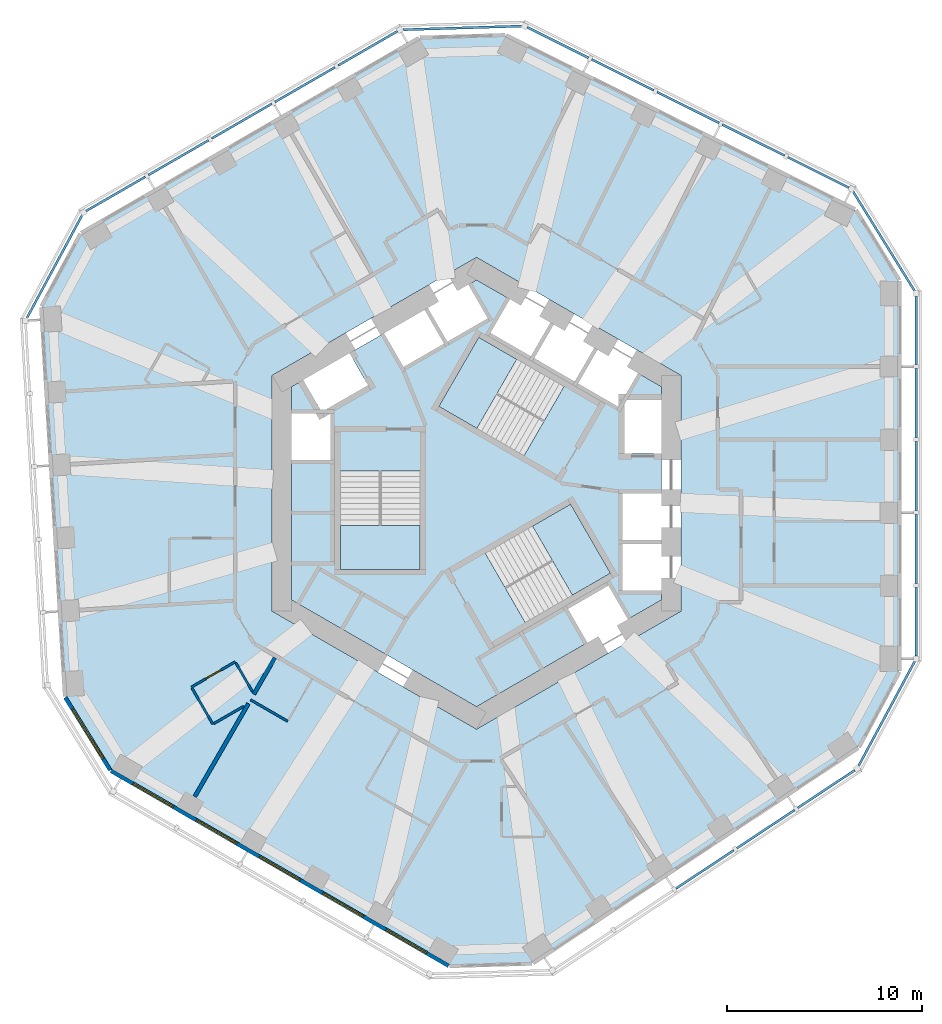
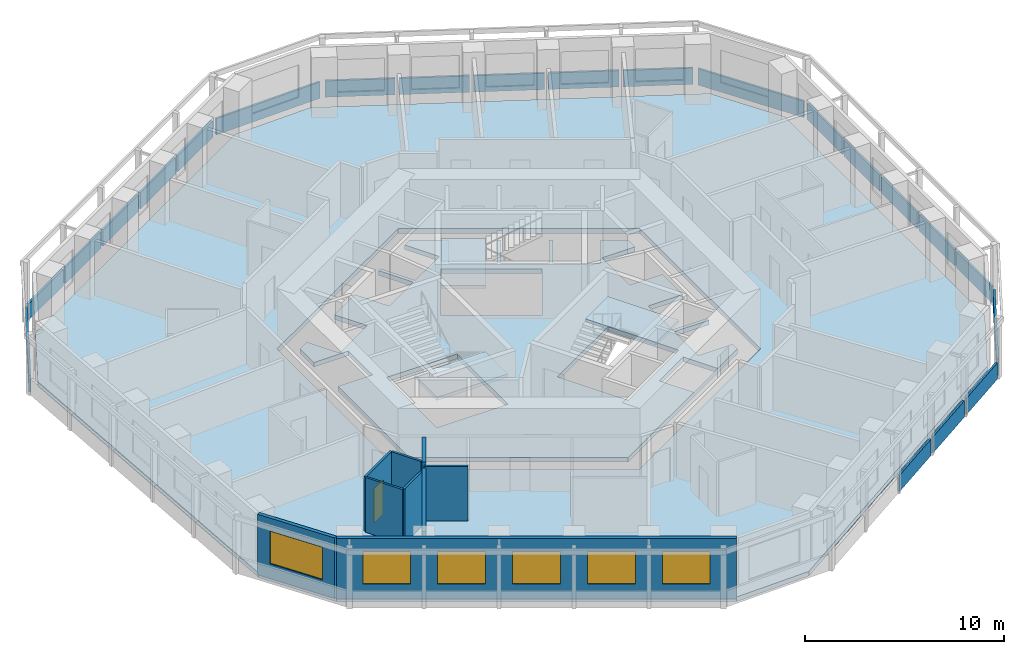
# One storey, part 3 of 11: 22 plates, 9 walls, 6 windows, 5 slabs, 1 door, 7 openings, 11 elements without a shape of their own.
"""IFC4 building model written with IfcOpenShell, lengths in metres."""

from ifc_helpers import new_model, si_unit, direction, frame, frame_2d, origin, origin_2d, place, context, subcontext, project, spatial, polyline, rectangle, outline, extrude, material, layer, layer_set, type_object, element, fill, aggregate, save


model = new_model("IFC4")

# Units and contexts
model_context = context("Model", 3, precision=1e-05, world=origin(), true_north=direction((0.0, 1.0)))
body_context = subcontext(model_context, "Body", "Model", "MODEL_VIEW")
ifc_project = project(units=[si_unit("LENGTHUNIT", "METRE"), si_unit("AREAUNIT", "SQUARE_METRE"), si_unit("VOLUMEUNIT", "CUBIC_METRE"), si_unit("PLANEANGLEUNIT", "RADIAN"), si_unit("MASSUNIT", "GRAM", prefix="KILO")], contexts=[model_context])

# Site, building, storey
site_placement = place(None, origin())
site = spatial("IfcSite", under=ifc_project, at=site_placement, CompositionType="ELEMENT")
building_placement = place(site_placement, origin())
building = spatial("IfcBuilding", under=site, at=building_placement, Name="Vanh Sen Convention Tower", CompositionType="ELEMENT")
storey_placement = place(building_placement, frame((0.0, 0.0, 135.5)))
storey = spatial("IfcBuildingStorey", under=building, at=storey_placement, Name="L33", CompositionType="ELEMENT", Elevation=135.5)

# Slabs
ifc_material_1 = material(Name="Concrete C40/50", Category="concrete")
ifc_layer_1 = layer(ifc_material_1, 0.280029296875)
ifc_layer_set_1 = layer_set([ifc_layer_1], Name="Concrete C40/50")
slab_type_1 = type_object("IfcSlabType", Name="Core slab 280", PredefinedType="FLOOR", material=ifc_layer_set_1)
slab_1_placement = place(storey_placement, frame((0.0, 0.0, -0.280029296875)))
element("IfcSlab", 1, at=slab_1_placement, inside=storey, type_object=slab_type_1, Name="Core slab L33", PredefinedType="FLOOR", context=body_context, shape_type="SweptSolid", body=[
    extrude(outline(polyline([(9.5, 5.48486328125), (9.5, 4.800048828125), (7.60009765625, 4.800048828125), (7.60009765625, 2.050048828125), (9.5, 2.050048828125), (9.5, 0.0), (7.5, 0.0), (7.5, -2.39990234375), (9.5, -2.39990234375), (9.5, -2.60009765625), (7.5, -2.60009765625), (7.5, -5.0), (9.5, -5.0), (9.5, -5.48486328125), (0.0, -10.9697265625), (-9.5, -5.48486328125), (-9.5, 1.699951171875), (-7.5, 1.699951171875), (-7.5, 4.10009765625), (-9.5, 4.10009765625), (-9.5, 5.48486328125), (-8.906982421875, 5.8271484375), (-7.956787109375, 4.181884765625), (-5.575439453125, 5.556884765625), (-6.525390625, 7.2021484375), (-4.75, 8.227294921875), (-3.75, 6.4951171875), (-1.67138671875, 7.6953125), (-2.67138671875, 9.42724609375), (-2.498291015625, 9.527099609375), (-1.498291015625, 7.795166015625), (0.580078125, 8.9951171875), (-0.419921875, 10.727294921875), (0.0, 10.9697265625), (1.718994140625, 9.977294921875), (0.718994140625, 8.2451171875), (2.79736328125, 7.045166015625), (3.79736328125, 8.777099609375), (3.970703125, 8.67724609375), (2.970703125, 6.9453125), (5.049072265625, 5.7451171875), (6.049072265625, 7.477294921875), (6.22216796875, 7.377197265625), (5.22216796875, 5.645263671875), (7.30078125, 4.4453125), (8.30078125, 6.17724609375), (9.5, 5.48486328125)]), holes=[polyline([(-7.0, 3.14990234375), (-7.0, -3.909912109375), (-2.89990234375, -3.909912109375), (-2.89990234375, 3.14990234375), (-2.89990234375, 1.1494140625), (-7.0, 1.1494140625), (-7.0, 3.14990234375)]), polyline([(4.495361328125, 5.487548828125), (6.22802734375, 4.4873046875), (0.11376953125, 8.01708984375), (-1.936279296875, 4.466552734375), (2.4453125, 1.936767578125), (4.495361328125, 5.487548828125)]), polyline([(7.781005859375, -6.477294921875), (6.781005859375, -4.7451171875), (4.70263671875, -5.9453125), (5.70263671875, -7.67724609375), (7.781005859375, -6.477294921875)]), polyline([(0.45458984375, -3.086181640625), (2.504638671875, -6.63671875), (6.88623046875, -4.107177734375), (4.836181640625, -0.556396484375), (-1.278076171875, -4.08642578125), (0.45458984375, -3.086181640625)])]), origin(), (0.0, 0.0, 1.0), 0.280029296875),
])
ifc_layer_2 = layer(ifc_material_1, 0.280029296875)
ifc_layer_set_2 = layer_set([ifc_layer_2], Name="Concrete C40/50")
slab_type_2 = type_object("IfcSlabType", Name="Floor slab 280 REI 120", PredefinedType="FLOOR", material=ifc_layer_set_2)
slab_2_placement = place(storey_placement, frame((0.0, 0.0, -0.280029296875)))
element("IfcSlab", 2, at=slab_2_placement, inside=storey, type_object=slab_type_2, Name="Floor slab L33 tower", PredefinedType="FLOOR", context=body_context, shape_type="SweptSolid", body=[
    extrude(outline(polyline([(21.699951171875, -9.15087890625), (21.699951171875, 10.91943359375), (19.454833984375, 14.5478515625), (1.492919921875, 23.503173828125), (-2.925048828125, 23.368408203125), (-20.306640625, 13.3330078125), (-22.326171875, 9.574462890625), (-21.100830078125, -10.458740234375), (-18.77490234375, -14.21728515625), (-1.393310546875, -24.25244140625), (2.871337890625, -24.122314453125), (19.60791015625, -13.04443359375), (21.699951171875, -9.15087890625)]), holes=[polyline([(0.0, 12.12451171875), (-10.5, 6.062255859375), (-10.5, -6.062255859375), (0.0, -12.12451171875), (10.5, -6.062255859375), (10.5, 6.062255859375), (0.0, 12.12451171875)])]), origin(), (0.0, 0.0, 1.0), 0.280029296875),
])

# Curtain wall, plates
ifc_material_2 = material(Name="Concrete C50/60", Category="concrete")
curtain_wall_type = type_object("IfcCurtainWallType", Name="Outer skin office zone", PredefinedType="NOTDEFINED", material=ifc_material_2)
curtain_wall_1_placement = place(storey_placement, origin())
curtain_wall_1 = element("IfcCurtainWall", 3, at=curtain_wall_1_placement, inside=storey, type_object=curtain_wall_type, Name="OUTER SKIN E L33", PredefinedType="NOTDEFINED")
ifc_layer_3 = layer(ifc_material_2, 0.1201171875)
ifc_layer_set_3 = layer_set([ifc_layer_3], Name="Concrete C50/60")
plate_type = type_object("IfcPlateType", Name="Outer skin precast screen panel 120", PredefinedType="CURTAIN_PANEL", material=ifc_layer_set_3)
plate_1_placement = place(storey_placement, frame((22.60009765625, -6.59912109375, 0.0), z_axis=(0.0, 0.0, 1.0), x_axis=(0.0, 1.0, 0.0)))
plate_1 = element("IfcPlate", 4, at=plate_1_placement, type_object=plate_type, Name="OUTER SKIN screen panel E-1", PredefinedType="CURTAIN_PANEL", context=body_context, shape_type="SweptSolid", body=[
    extrude(rectangle(XDim=3.504150390625, YDim=0.1201171875, at=origin_2d()), origin(), (0.0, 0.0, 1.0), 1.0),
])
plate_2_placement = place(storey_placement, frame((22.60009765625, -2.869873046875, 0.0), z_axis=(0.0, 0.0, 1.0), x_axis=(0.0, 1.0, 0.0)))
plate_2 = element("IfcPlate", 5, at=plate_2_placement, type_object=plate_type, Name="OUTER SKIN screen panel E-2", PredefinedType="CURTAIN_PANEL", context=body_context, shape_type="SweptSolid", body=[
    extrude(rectangle(XDim=3.55419921875, YDim=0.1201171875, at=origin_2d()), origin(), (0.0, 0.0, 1.0), 1.0),
])
plate_3_placement = place(storey_placement, frame((22.60009765625, 0.88427734375, 0.0), z_axis=(0.0, 0.0, 1.0), x_axis=(0.0, 1.0, 0.0)))
plate_3 = element("IfcPlate", 6, at=plate_3_placement, type_object=plate_type, Name="OUTER SKIN screen panel E-3", PredefinedType="CURTAIN_PANEL", context=body_context, shape_type="SweptSolid", body=[
    extrude(rectangle(XDim=3.55419921875, YDim=0.1201171875, at=origin_2d()), origin(), (0.0, 0.0, 1.0), 1.0),
])
plate_4_placement = place(storey_placement, frame((22.60009765625, 4.63818359375, 0.0), z_axis=(0.0, 0.0, 1.0), x_axis=(0.0, 1.0, 0.0)))
plate_4 = element("IfcPlate", 7, at=plate_4_placement, type_object=plate_type, Name="OUTER SKIN screen panel E-4", PredefinedType="CURTAIN_PANEL", context=body_context, shape_type="SweptSolid", body=[
    extrude(rectangle(XDim=3.55419921875, YDim=0.1201171875, at=origin_2d()), origin(), (0.0, 0.0, 1.0), 1.0),
])
plate_5_placement = place(storey_placement, frame((22.60009765625, 8.367431640625, 0.0), z_axis=(0.0, 0.0, 1.0), x_axis=(0.0, 1.0, 0.0)))
plate_5 = element("IfcPlate", 8, at=plate_5_placement, type_object=plate_type, Name="OUTER SKIN screen panel E-5", PredefinedType="CURTAIN_PANEL", context=body_context, shape_type="SweptSolid", body=[
    extrude(rectangle(XDim=3.504150390625, YDim=0.1201171875, at=origin_2d()), origin(), (0.0, 0.0, 1.0), 1.0),
])
aggregate(curtain_wall_1, [plate_1, plate_2, plate_3, plate_4, plate_5])

# Curtain wall, plate
curtain_wall_2_placement = place(storey_placement, origin())
curtain_wall_2 = element("IfcCurtainWall", 9, at=curtain_wall_2_placement, inside=storey, type_object=curtain_wall_type, Name="OUTER SKIN CH1 L33", PredefinedType="NOTDEFINED")
plate_6_placement = place(storey_placement, frame((20.937255859375, 12.956298828125, 0.0), z_axis=(0.0, 0.0, 1.0), x_axis=(-0.5262035346, 0.850358653848, 0.0)))
plate_6 = element("IfcPlate", 10, at=plate_6_placement, type_object=plate_type, Name="OUTER SKIN screen panel CH1-1", PredefinedType="CURTAIN_PANEL", context=body_context, shape_type="SweptSolid", body=[
    extrude(rectangle(XDim=6.01953125, YDim=0.1201171875, at=origin_2d()), origin(), (0.0, 0.0, 1.0), 1.0),
])
aggregate(curtain_wall_2, [plate_6])

# Curtain wall, plates
curtain_wall_3_placement = place(storey_placement, origin())
curtain_wall_3 = element("IfcCurtainWall", 11, at=curtain_wall_3_placement, inside=storey, type_object=curtain_wall_type, Name="OUTER SKIN NE L33", PredefinedType="NOTDEFINED")
plate_7_placement = place(storey_placement, frame((17.572509765625, 16.491943359375, 0.0), z_axis=(0.0, 0.0, 1.0), x_axis=(-0.894943706551, 0.446179069551, 0.0)))
plate_7 = element("IfcPlate", 12, at=plate_7_placement, type_object=plate_type, Name="OUTER SKIN screen panel NE-1", PredefinedType="CURTAIN_PANEL", context=body_context, shape_type="SweptSolid", body=[
    extrude(rectangle(XDim=3.504150390625, YDim=0.1201171875, at=origin_2d()), origin(), (0.0, 0.0, 1.0), 1.0),
])
plate_8_placement = place(storey_placement, frame((14.235107421875, 18.156005859375, 0.0), z_axis=(0.0, 0.0, 1.0), x_axis=(-0.894932804072, 0.446200937017, 0.0)))
plate_8 = element("IfcPlate", 13, at=plate_8_placement, type_object=plate_type, Name="OUTER SKIN screen panel NE-2", PredefinedType="CURTAIN_PANEL", context=body_context, shape_type="SweptSolid", body=[
    extrude(rectangle(XDim=3.55419921875, YDim=0.1201171875, at=origin_2d()), origin(), (0.0, 0.0, 1.0), 1.0),
])
plate_9_placement = place(storey_placement, frame((10.87548828125, 19.8310546875, 0.0), z_axis=(0.0, 0.0, 1.0), x_axis=(-0.894932804072, 0.446200937017, 0.0)))
plate_9 = element("IfcPlate", 14, at=plate_9_placement, type_object=plate_type, Name="OUTER SKIN screen panel NE-3", PredefinedType="CURTAIN_PANEL", context=body_context, shape_type="SweptSolid", body=[
    extrude(rectangle(XDim=3.55419921875, YDim=0.1201171875, at=origin_2d()), origin(), (0.0, 0.0, 1.0), 1.0),
])
plate_10_placement = place(storey_placement, frame((7.515625, 21.506103515625, 0.0), z_axis=(0.0, 0.0, 1.0), x_axis=(-0.894932804072, 0.446200937017, 0.0)))
plate_10 = element("IfcPlate", 15, at=plate_10_placement, type_object=plate_type, Name="OUTER SKIN screen panel NE-4", PredefinedType="CURTAIN_PANEL", context=body_context, shape_type="SweptSolid", body=[
    extrude(rectangle(XDim=3.55419921875, YDim=0.1201171875, at=origin_2d()), origin(), (0.0, 0.0, 1.0), 1.0),
])
plate_11_placement = place(storey_placement, frame((4.178466796875, 23.169921875, 0.0), z_axis=(0.0, 0.0, 1.0), x_axis=(-0.894943706551, 0.446179069551, 0.0)))
plate_11 = element("IfcPlate", 16, at=plate_11_placement, type_object=plate_type, Name="OUTER SKIN screen panel NE-5", PredefinedType="CURTAIN_PANEL", context=body_context, shape_type="SweptSolid", body=[
    extrude(rectangle(XDim=3.504150390625, YDim=0.1201171875, at=origin_2d()), origin(), (0.0, 0.0, 1.0), 1.0),
])
aggregate(curtain_wall_3, [plate_7, plate_8, plate_9, plate_10, plate_11])

# Curtain wall, plate
curtain_wall_4_placement = place(storey_placement, origin())
curtain_wall_4 = element("IfcCurtainWall", 17, at=curtain_wall_4_placement, inside=storey, type_object=curtain_wall_type, Name="OUTER SKIN CH2 L33", PredefinedType="NOTDEFINED")
plate_12_placement = place(storey_placement, frame((-0.73095703125, 23.920654296875, 0.0), z_axis=(0.0, 0.0, 1.0), x_axis=(-0.999533590837, -0.03053851321, 0.0)))
plate_12 = element("IfcPlate", 18, at=plate_12_placement, type_object=plate_type, Name="OUTER SKIN screen panel CH2-1", PredefinedType="CURTAIN_PANEL", context=body_context, shape_type="SweptSolid", body=[
    extrude(rectangle(XDim=6.1171875, YDim=0.1201171875, at=origin_2d()), origin(), (0.0, 0.0, 1.0), 1.0),
])
aggregate(curtain_wall_4, [plate_12])

# Curtain wall, plates
curtain_wall_5_placement = place(storey_placement, origin())
curtain_wall_5 = element("IfcCurtainWall", 19, at=curtain_wall_5_placement, inside=storey, type_object=curtain_wall_type, Name="OUTER SKIN NW L33", PredefinedType="NOTDEFINED")
plate_13_placement = place(storey_placement, frame((-5.585205078125, 22.87158203125, 0.0), z_axis=(0.0, 0.0, 1.0), x_axis=(-0.866035002936, -0.499983373414, 0.0)))
plate_13 = element("IfcPlate", 20, at=plate_13_placement, type_object=plate_type, Name="OUTER SKIN screen panel NW-1", PredefinedType="CURTAIN_PANEL", context=body_context, shape_type="SweptSolid", body=[
    extrude(rectangle(XDim=3.504150390625, YDim=0.1201171875, at=origin_2d()), origin(), (0.0, 0.0, 1.0), 1.0),
])
plate_14_placement = place(storey_placement, frame((-8.814697265625, 21.007080078125, 0.0), z_axis=(0.0, 0.0, 1.0), x_axis=(-0.866016677006, -0.500015114919, 0.0)))
plate_14 = element("IfcPlate", 21, at=plate_14_placement, type_object=plate_type, Name="OUTER SKIN screen panel NW-2", PredefinedType="CURTAIN_PANEL", context=body_context, shape_type="SweptSolid", body=[
    extrude(rectangle(XDim=3.55419921875, YDim=0.1201171875, at=origin_2d()), origin(), (0.0, 0.0, 1.0), 1.0),
])
plate_15_placement = place(storey_placement, frame((-12.06591796875, 19.1298828125, 0.0), z_axis=(0.0, 0.0, 1.0), x_axis=(-0.866035002936, -0.499983373414, 0.0)))
plate_15 = element("IfcPlate", 22, at=plate_15_placement, type_object=plate_type, Name="OUTER SKIN screen panel NW-3", PredefinedType="CURTAIN_PANEL", context=body_context, shape_type="SweptSolid", body=[
    extrude(rectangle(XDim=3.55419921875, YDim=0.1201171875, at=origin_2d()), origin(), (0.0, 0.0, 1.0), 1.0),
])
plate_16_placement = place(storey_placement, frame((-15.31689453125, 17.2529296875, 0.0), z_axis=(0.0, 0.0, 1.0), x_axis=(-0.866016677006, -0.500015114919, 0.0)))
plate_16 = element("IfcPlate", 23, at=plate_16_placement, type_object=plate_type, Name="OUTER SKIN screen panel NW-4", PredefinedType="CURTAIN_PANEL", context=body_context, shape_type="SweptSolid", body=[
    extrude(rectangle(XDim=3.55419921875, YDim=0.1201171875, at=origin_2d()), origin(), (0.0, 0.0, 1.0), 1.0),
])
plate_17_placement = place(storey_placement, frame((-18.54638671875, 15.388427734375, 0.0), z_axis=(0.0, 0.0, 1.0), x_axis=(-0.866035002936, -0.499983373414, 0.0)))
plate_17 = element("IfcPlate", 24, at=plate_17_placement, type_object=plate_type, Name="OUTER SKIN screen panel NW-5", PredefinedType="CURTAIN_PANEL", context=body_context, shape_type="SweptSolid", body=[
    extrude(rectangle(XDim=3.504150390625, YDim=0.1201171875, at=origin_2d()), origin(), (0.0, 0.0, 1.0), 1.0),
])
aggregate(curtain_wall_5, [plate_13, plate_14, plate_15, plate_16, plate_17])

# Curtain wall, plate
curtain_wall_6_placement = place(storey_placement, origin())
curtain_wall_6 = element("IfcCurtainWall", 25, at=curtain_wall_6_placement, inside=storey, type_object=curtain_wall_type, Name="OUTER SKIN CH3 L33", PredefinedType="NOTDEFINED")
plate_18_placement = place(storey_placement, frame((-21.689208984375, 11.654052734375, 0.0), z_axis=(0.0, 0.0, 1.0), x_axis=(-0.47331812974, -0.880891564303, 0.0)))
plate_18 = element("IfcPlate", 26, at=plate_18_placement, type_object=plate_type, Name="OUTER SKIN screen panel CH3-1", PredefinedType="CURTAIN_PANEL", context=body_context, shape_type="SweptSolid", body=[
    extrude(rectangle(XDim=6.019287109375, YDim=0.1201171875, at=origin_2d()), origin(), (0.0, 0.0, 1.0), 1.0),
])
aggregate(curtain_wall_6, [plate_18])

# Curtain wall, plates
curtain_wall_7_placement = place(storey_placement, origin())
curtain_wall_7 = element("IfcCurtainWall", 27, at=curtain_wall_7_placement, inside=storey, type_object=curtain_wall_type, Name="OUTER SKIN SE L33", PredefinedType="NOTDEFINED")
plate_19_placement = place(storey_placement, frame((11.736328125, -19.333984375, 0.0), z_axis=(0.0, 0.0, 1.0), x_axis=(0.833877152158, 0.551950083892, 0.0)))
plate_19 = element("IfcPlate", 28, at=plate_19_placement, type_object=plate_type, Name="OUTER SKIN screen panel SE-3", PredefinedType="CURTAIN_PANEL", context=body_context, shape_type="SweptSolid", body=[
    extrude(rectangle(XDim=3.55419921875, YDim=0.1201171875, at=origin_2d()), origin(), (0.0, 0.0, 1.0), 1.0),
])
plate_20_placement = place(storey_placement, frame((14.866943359375, -17.26171875, 0.0), z_axis=(0.0, 0.0, 1.0), x_axis=(0.833889675294, 0.551931163677, 0.0)))
plate_20 = element("IfcPlate", 29, at=plate_20_placement, type_object=plate_type, Name="OUTER SKIN screen panel SE-4", PredefinedType="CURTAIN_PANEL", context=body_context, shape_type="SweptSolid", body=[
    extrude(rectangle(XDim=3.55419921875, YDim=0.1201171875, at=origin_2d()), origin(), (0.0, 0.0, 1.0), 1.0),
])
plate_21_placement = place(storey_placement, frame((17.9765625, -15.20361328125, 0.0), z_axis=(0.0, 0.0, 1.0), x_axis=(0.833889675294, 0.551931163677, 0.0)))
plate_21 = element("IfcPlate", 30, at=plate_21_placement, type_object=plate_type, Name="OUTER SKIN screen panel SE-5", PredefinedType="CURTAIN_PANEL", context=body_context, shape_type="SweptSolid", body=[
    extrude(rectangle(XDim=3.504150390625, YDim=0.1201171875, at=origin_2d()), origin(), (0.0, 0.0, 1.0), 1.0),
])
aggregate(curtain_wall_7, [plate_19, plate_20, plate_21])

# Curtain wall, plate
curtain_wall_8_placement = place(storey_placement, origin())
curtain_wall_8 = element("IfcCurtainWall", 31, at=curtain_wall_8_placement, inside=storey, type_object=curtain_wall_type, Name="OUTER SKIN CH6 L33", PredefinedType="NOTDEFINED")
plate_22_placement = place(storey_placement, frame((21.081298828125, -11.327392578125, 0.0), z_axis=(0.0, 0.0, 1.0), x_axis=(0.473321204628, 0.880889912105, 0.0)))
plate_22 = element("IfcPlate", 32, at=plate_22_placement, type_object=plate_type, Name="OUTER SKIN screen panel CH6-1", PredefinedType="CURTAIN_PANEL", context=body_context, shape_type="SweptSolid", body=[
    extrude(rectangle(XDim=6.1171875, YDim=0.1201171875, at=origin_2d()), origin(), (0.0, 0.0, 1.0), 1.0),
])
aggregate(curtain_wall_8, [plate_22])

# Stair, slab
ifc_material_3 = material(Name="Concrete C50/60", Category="concrete")
stair_type_1 = type_object("IfcStairType", Name="Exit stair ST1 22 risers at 168.2", PredefinedType="HALF_TURN_STAIR", material=ifc_material_3)
stair_1_placement = place(storey_placement, origin())
stair_1 = element("IfcStair", 33, at=stair_1_placement, inside=storey, type_object=stair_type_1, Name="Exit stair ST1 L33", PredefinedType="HALF_TURN_STAIR")
ifc_layer_4 = layer(ifc_material_1, 0.199951171875)
ifc_layer_set_4 = layer_set([ifc_layer_4], Name="Concrete C40/50")
slab_type_3 = type_object("IfcSlabType", Name="Stair landing 200", PredefinedType="LANDING", material=ifc_layer_set_4)
slab_3_placement = place(storey_placement, frame((0.0, 0.0, 1.64990234375)))
slab_3 = element("IfcSlab", 34, at=slab_3_placement, type_object=slab_type_3, Name="ST1 landing 1", PredefinedType="LANDING", context=body_context, shape_type="SweptSolid", body=[
    extrude(outline(polyline([(2.07177734375, 6.88671875), (0.11376953125, 8.01708984375), (-1.936279296875, 4.466552734375), (0.021728515625, 3.336181640625), (2.07177734375, 6.88671875)])), origin(), (0.0, 0.0, 1.0), 0.2001953125),
])
aggregate(stair_1, [slab_3])

stair_type_2 = type_object("IfcStairType", Name="Exit stair ST2 22 risers at 168.2", PredefinedType="HALF_TURN_STAIR", material=ifc_material_3)
stair_2_placement = place(storey_placement, origin())
stair_2 = element("IfcStair", 35, at=stair_2_placement, inside=storey, type_object=stair_type_2, Name="Exit stair ST2 L33", PredefinedType="HALF_TURN_STAIR")
slab_4_placement = place(storey_placement, frame((0.0, 0.0, 1.64990234375)))
slab_4 = element("IfcSlab", 36, at=slab_4_placement, type_object=slab_type_3, Name="ST2 landing 1", PredefinedType="LANDING", context=body_context, shape_type="SweptSolid", body=[
    extrude(outline(polyline([(-7.0, -1.6494140625), (-7.0, -3.909912109375), (-2.89990234375, -3.909912109375), (-2.89990234375, -1.6494140625), (-7.0, -1.6494140625)])), origin(), (0.0, 0.0, 1.0), 0.2001953125),
])
aggregate(stair_2, [slab_4])

stair_type_3 = type_object("IfcStairType", Name="Exit stair ST3 22 risers at 168.2", PredefinedType="HALF_TURN_STAIR", material=ifc_material_3)
stair_3_placement = place(storey_placement, origin())
stair_3 = element("IfcStair", 37, at=stair_3_placement, inside=storey, type_object=stair_type_3, Name="Exit stair ST3 L33", PredefinedType="HALF_TURN_STAIR")
slab_5_placement = place(storey_placement, frame((0.0, 0.0, 1.64990234375)))
slab_5 = element("IfcSlab", 38, at=slab_5_placement, type_object=slab_type_3, Name="ST3 landing 1", PredefinedType="LANDING", context=body_context, shape_type="SweptSolid", body=[
    extrude(outline(polyline([(4.92822265625, -5.237548828125), (6.88623046875, -4.107177734375), (4.836181640625, -0.556396484375), (2.87841796875, -1.686767578125), (4.92822265625, -5.237548828125)])), origin(), (0.0, 0.0, 1.0), 0.2001953125),
])
aggregate(stair_3, [slab_5])

# Wall, opening, door
ifc_material_4 = material(Name="Moisture-resistant gypsum board on steel studs", Category="steel")
ifc_layer_5 = layer(ifc_material_4, 0.1201171875)
ifc_layer_set_5 = layer_set([ifc_layer_5], Name="Moisture-resistant gypsum board on steel studs")
wall_type_1 = type_object("IfcWallType", Name="Bathroom partition 120", PredefinedType="PARTITIONING", material=ifc_layer_set_5)
wall_1_placement = place(storey_placement, frame((-14.652587890625, -9.960693359375, 0.0), z_axis=(0.0, 0.0, 1.0), x_axis=(0.866021400173, 0.500006934395, 0.0)))
wall_1 = element("IfcWall", 39, at=wall_1_placement, inside=storey, type_object=wall_type_1, Name="Bathroom partition 120", PredefinedType="PARTITIONING", context=body_context, shape_type="SweptSolid", body=[
    extrude(rectangle(XDim=2.60009765625, YDim=0.1201171875, at=frame_2d((1.300048828125, 0.0))), origin(), (0.0, 0.0, 1.0), 3.35009765625),
])
opening_1_placement = place(wall_1_placement, frame((0.85009765625, 0.0, 0.0)))
opening_1 = element("IfcOpeningElement", 40, at=opening_1_placement, cuts=wall_1, Name="Opening D32121", PredefinedType="OPENING", context=body_context, shape_type="SweptSolid", body=[
    extrude(rectangle(XDim=0.89990234375, YDim=2.10009765625, at=frame_2d((0.449951171875, 1.050048828125))), frame((0.0, 0.070068359375, 0.0), z_axis=(0.0, -1.0, 0.0), x_axis=(1.0, 0.0, 0.0)), (0.0, 0.0, 1.0), 0.14013671875),
])
ifc_material_5 = material(Name="Laminate door in steel frame", Category="steel")
door_type = type_object("IfcDoorType", Name="Room internal door 900", OperationType="SINGLE_SWING_LEFT", PredefinedType="DOOR", material=ifc_material_5)
door_placement = place(opening_1_placement, origin())
door = element("IfcDoor", 41, at=door_placement, inside=storey, type_object=door_type, Name="Internal room door D32121", OperationType="SINGLE_SWING_LEFT", OverallHeight=2.10009765625, OverallWidth=0.89990234375, PredefinedType="DOOR", context=body_context, shape_type="SweptSolid", body=[
    extrude(rectangle(XDim=0.89990234375, YDim=2.10009765625, at=frame_2d((0.449951171875, 1.050048828125))), frame((0.0, 0.02490234375, 0.0), z_axis=(0.0, -1.0, 0.0), x_axis=(1.0, 0.0, 0.0)), (0.0, 0.0, 1.0), 0.050048828125),
])
fill(opening_1, door)

# Walls
wall_2_placement = place(storey_placement, frame((-13.552490234375, -11.865966796875, 0.0), z_axis=(0.0, 0.0, 1.0), x_axis=(-0.500028586798, 0.86600889856, 0.0)))
element("IfcWall", 42, at=wall_2_placement, inside=storey, type_object=wall_type_1, Name="Bathroom partition 120", PredefinedType="PARTITIONING", context=body_context, shape_type="SweptSolid", body=[
    extrude(rectangle(XDim=2.139892578125, YDim=0.1201171875, at=frame_2d((1.06982421875, 0.0))), origin(), (0.0, 0.0, 1.0), 3.35009765625),
])
wall_3_placement = place(storey_placement, frame((-12.370849609375, -8.712646484375, 0.0), z_axis=(0.0, 0.0, 1.0), x_axis=(0.499910907645, -0.86607683517, 0.0)))
element("IfcWall", 43, at=wall_3_placement, inside=storey, type_object=wall_type_1, Name="Bathroom partition 120", PredefinedType="PARTITIONING", context=body_context, shape_type="SweptSolid", body=[
    extrude(rectangle(XDim=1.719482421875, YDim=0.1201171875, at=frame_2d((0.85986328125, 0.0))), origin(), (0.0, 0.0, 1.0), 3.35009765625),
])
wall_4_placement = place(storey_placement, frame((-11.96435546875, -10.948974609375, 0.0), z_axis=(0.0, 0.0, 1.0), x_axis=(-0.86600680221, -0.500032217487, 0.0)))
element("IfcWall", 44, at=wall_4_placement, inside=storey, type_object=wall_type_1, Name="Bathroom partition 120", PredefinedType="PARTITIONING", context=body_context, shape_type="SweptSolid", body=[
    extrude(rectangle(XDim=1.77392578125, YDim=0.1201171875, at=frame_2d((0.886962890625, 0.0))), origin(), (0.0, 0.0, 1.0), 3.35009765625),
])
wall_5_placement = place(storey_placement, frame((-9.705810546875, -11.717041015625, 0.0), z_axis=(0.0, 0.0, 1.0), x_axis=(-0.86598042715, 0.500077893725, 0.0)))
element("IfcWall", 45, at=wall_5_placement, inside=storey, type_object=wall_type_1, Name="Bathroom partition 120", PredefinedType="PARTITIONING", context=body_context, shape_type="SweptSolid", body=[
    extrude(rectangle(XDim=2.199951171875, YDim=0.1201171875, at=frame_2d((1.10009765625, 0.0))), origin(), (0.0, 0.0, 1.0), 3.35009765625),
])

# Wall, opening, window
ifc_material_6 = material(Name="Insulated lightweight infill wall")
ifc_layer_6 = layer(ifc_material_6, 0.199951171875)
ifc_layer_set_6 = layer_set([ifc_layer_6], Name="Insulated lightweight infill wall")
wall_type_2 = type_object("IfcWallType", Name="External wall 200", PredefinedType="STANDARD", material=ifc_layer_set_6)
wall_6_placement = place(storey_placement, frame((-21.13671875, -10.49560546875, 0.0), z_axis=(0.0, 0.0, 1.0), x_axis=(0.526178661629, -0.850374044786, 0.0)))
wall_6 = element("IfcWall", 46, at=wall_6_placement, inside=storey, type_object=wall_type_2, Name="External wall CH4 L33", PredefinedType="STANDARD", context=body_context, shape_type="SweptSolid", body=[
    extrude(rectangle(XDim=4.394775390625, YDim=0.199951171875, at=frame_2d((2.197265625, 0.0))), origin(), (0.0, 0.0, 1.0), 3.699951171875),
])
opening_2_placement = place(wall_6_placement, frame((0.697509765625, 0.0, 0.89990234375)))
opening_2 = element("IfcOpeningElement", 47, at=opening_2_placement, cuts=wall_6, Name="Opening WO2-CH41", PredefinedType="OPENING", context=body_context, shape_type="SweptSolid", body=[
    extrude(rectangle(XDim=3.0, YDim=2.0, at=frame_2d((1.5, 1.0))), frame((0.0, 0.10986328125, 0.0), z_axis=(0.0, -1.0, 0.0), x_axis=(1.0, 0.0, 0.0)), (0.0, 0.0, 1.0), 0.219970703125),
])
ifc_material_7 = material(Name="Aluminium frame with clear low-emissivity glass", Category="aluminium")
window_type_1 = type_object("IfcWindowType", Name="Office window 3000 x 2000", PartitioningType="SINGLE_PANEL", PredefinedType="WINDOW", material=ifc_material_7)
window_1_placement = place(opening_2_placement, origin())
window_1 = element("IfcWindow", 48, at=window_1_placement, inside=storey, type_object=window_type_1, Name="Window WO2-CH41", OverallHeight=2.0, OverallWidth=3.0, PartitioningType="SINGLE_PANEL", PredefinedType="WINDOW", context=body_context, shape_type="SweptSolid", body=[
    extrude(rectangle(XDim=3.0, YDim=2.0, at=frame_2d((1.5, 1.0))), frame((0.0, 0.030029296875, 0.0), z_axis=(0.0, -1.0, 0.0), x_axis=(1.0, 0.0, 0.0)), (0.0, 0.0, 1.0), 0.06005859375),
])
fill(opening_2, window_1)

# Wall, openings, windows
wall_7_placement = place(storey_placement, frame((-18.7890625, -14.266845703125, 0.0), z_axis=(0.0, 0.0, 1.0), x_axis=(0.866023315909, -0.500003616288, 0.0)))
wall_7 = element("IfcWall", 49, at=wall_7_placement, inside=storey, type_object=wall_type_2, Name="External wall SW L33", PredefinedType="STANDARD", context=body_context, shape_type="SweptSolid", body=[
    extrude(rectangle(XDim=20.043701171875, YDim=0.199951171875, at=frame_2d((10.02197265625, 0.0))), origin(), (0.0, 0.0, 1.0), 3.699951171875),
])
opening_3_placement = place(wall_7_placement, frame((1.314453125, 0.0, 0.89990234375)))
opening_3 = element("IfcOpeningElement", 50, at=opening_3_placement, cuts=wall_7, Name="Opening WO1-SW1", PredefinedType="OPENING", context=body_context, shape_type="SweptSolid", body=[
    extrude(rectangle(XDim=2.39990234375, YDim=2.0, at=frame_2d((1.199951171875, 1.0))), frame((0.0, 0.10986328125, 0.0), z_axis=(0.0, -1.0, 0.0), x_axis=(1.0, 0.0, 0.0)), (0.0, 0.0, 1.0), 0.219970703125),
])
opening_4_placement = place(wall_7_placement, frame((5.068603515625, 0.0, 0.89990234375)))
opening_4 = element("IfcOpeningElement", 51, at=opening_4_placement, cuts=wall_7, Name="Opening WO1-SW2", PredefinedType="OPENING", context=body_context, shape_type="SweptSolid", body=[
    extrude(rectangle(XDim=2.39990234375, YDim=2.0, at=frame_2d((1.199951171875, 1.0))), frame((0.0, 0.10986328125, 0.0), z_axis=(0.0, -1.0, 0.0), x_axis=(1.0, 0.0, 0.0)), (0.0, 0.0, 1.0), 0.219970703125),
])
opening_5_placement = place(wall_7_placement, frame((8.82275390625, 0.0, 0.89990234375)))
opening_5 = element("IfcOpeningElement", 52, at=opening_5_placement, cuts=wall_7, Name="Opening WO1-SW3", PredefinedType="OPENING", context=body_context, shape_type="SweptSolid", body=[
    extrude(rectangle(XDim=2.39990234375, YDim=2.0, at=frame_2d((1.199951171875, 1.0))), frame((0.0, 0.10986328125, 0.0), z_axis=(0.0, -1.0, 0.0), x_axis=(1.0, 0.0, 0.0)), (0.0, 0.0, 1.0), 0.219970703125),
])
opening_6_placement = place(wall_7_placement, frame((12.576904296875, 0.0, 0.89990234375)))
opening_6 = element("IfcOpeningElement", 53, at=opening_6_placement, cuts=wall_7, Name="Opening WO1-SW4", PredefinedType="OPENING", context=body_context, shape_type="SweptSolid", body=[
    extrude(rectangle(XDim=2.39990234375, YDim=2.0, at=frame_2d((1.199951171875, 1.0))), frame((0.0, 0.10986328125, 0.0), z_axis=(0.0, -1.0, 0.0), x_axis=(1.0, 0.0, 0.0)), (0.0, 0.0, 1.0), 0.219970703125),
])
opening_7_placement = place(wall_7_placement, frame((16.330810546875, 0.0, 0.89990234375)))
opening_7 = element("IfcOpeningElement", 54, at=opening_7_placement, cuts=wall_7, Name="Opening WO1-SW5", PredefinedType="OPENING", context=body_context, shape_type="SweptSolid", body=[
    extrude(rectangle(XDim=2.39990234375, YDim=2.0, at=frame_2d((1.199951171875, 1.0))), frame((0.0, 0.10986328125, 0.0), z_axis=(0.0, -1.0, 0.0), x_axis=(1.0, 0.0, 0.0)), (0.0, 0.0, 1.0), 0.219970703125),
])
window_type_2 = type_object("IfcWindowType", Name="Office window 2400 x 2000", PartitioningType="SINGLE_PANEL", PredefinedType="WINDOW", material=ifc_material_7)
window_2_placement = place(opening_3_placement, origin())
window_2 = element("IfcWindow", 55, at=window_2_placement, inside=storey, type_object=window_type_2, Name="Window WO1-SW1", OverallHeight=2.0, OverallWidth=2.39990234375, PartitioningType="SINGLE_PANEL", PredefinedType="WINDOW", context=body_context, shape_type="SweptSolid", body=[
    extrude(rectangle(XDim=2.39990234375, YDim=2.0, at=frame_2d((1.199951171875, 1.0))), frame((0.0, 0.030029296875, 0.0), z_axis=(0.0, -1.0, 0.0), x_axis=(1.0, 0.0, 0.0)), (0.0, 0.0, 1.0), 0.06005859375),
])
fill(opening_3, window_2)
window_3_placement = place(opening_4_placement, origin())
window_3 = element("IfcWindow", 56, at=window_3_placement, inside=storey, type_object=window_type_2, Name="Window WO1-SW2", OverallHeight=2.0, OverallWidth=2.39990234375, PartitioningType="SINGLE_PANEL", PredefinedType="WINDOW", context=body_context, shape_type="SweptSolid", body=[
    extrude(rectangle(XDim=2.39990234375, YDim=2.0, at=frame_2d((1.199951171875, 1.0))), frame((0.0, 0.030029296875, 0.0), z_axis=(0.0, -1.0, 0.0), x_axis=(1.0, 0.0, 0.0)), (0.0, 0.0, 1.0), 0.06005859375),
])
fill(opening_4, window_3)
window_4_placement = place(opening_5_placement, origin())
window_4 = element("IfcWindow", 57, at=window_4_placement, inside=storey, type_object=window_type_2, Name="Window WO1-SW3", OverallHeight=2.0, OverallWidth=2.39990234375, PartitioningType="SINGLE_PANEL", PredefinedType="WINDOW", context=body_context, shape_type="SweptSolid", body=[
    extrude(rectangle(XDim=2.39990234375, YDim=2.0, at=frame_2d((1.199951171875, 1.0))), frame((0.0, 0.030029296875, 0.0), z_axis=(0.0, -1.0, 0.0), x_axis=(1.0, 0.0, 0.0)), (0.0, 0.0, 1.0), 0.06005859375),
])
fill(opening_5, window_4)
window_5_placement = place(opening_6_placement, origin())
window_5 = element("IfcWindow", 58, at=window_5_placement, inside=storey, type_object=window_type_2, Name="Window WO1-SW4", OverallHeight=2.0, OverallWidth=2.39990234375, PartitioningType="SINGLE_PANEL", PredefinedType="WINDOW", context=body_context, shape_type="SweptSolid", body=[
    extrude(rectangle(XDim=2.39990234375, YDim=2.0, at=frame_2d((1.199951171875, 1.0))), frame((0.0, 0.030029296875, 0.0), z_axis=(0.0, -1.0, 0.0), x_axis=(1.0, 0.0, 0.0)), (0.0, 0.0, 1.0), 0.06005859375),
])
fill(opening_6, window_5)
window_6_placement = place(opening_7_placement, origin())
window_6 = element("IfcWindow", 59, at=window_6_placement, inside=storey, type_object=window_type_2, Name="Window WO1-SW5", OverallHeight=2.0, OverallWidth=2.39990234375, PartitioningType="SINGLE_PANEL", PredefinedType="WINDOW", context=body_context, shape_type="SweptSolid", body=[
    extrude(rectangle(XDim=2.39990234375, YDim=2.0, at=frame_2d((1.199951171875, 1.0))), frame((0.0, 0.030029296875, 0.0), z_axis=(0.0, -1.0, 0.0), x_axis=(1.0, 0.0, 0.0)), (0.0, 0.0, 1.0), 0.06005859375),
])
fill(opening_7, window_6)

# Walls
ifc_material_8 = material(Name="Gypsum board on steel studs with mineral wool", Category="steel")
ifc_layer_7 = layer(ifc_material_8, 0.199951171875)
ifc_layer_set_7 = layer_set([ifc_layer_7], Name="Gypsum board on steel studs with mineral wool")
wall_type_3 = type_object("IfcWallType", Name="Tenant suite wall 200", PredefinedType="PARTITIONING", material=ifc_layer_set_7)
wall_8_placement = place(storey_placement, frame((-14.48583984375, -15.5966796875, 0.0), z_axis=(0.0, 0.0, 1.0), x_axis=(0.500003965547, 0.866023114263, 0.0)))
element("IfcWall", 60, at=wall_8_placement, inside=storey, type_object=wall_type_3, Name="Tenant suite wall 200", PredefinedType="PARTITIONING", context=body_context, shape_type="SweptSolid", body=[
    extrude(rectangle(XDim=5.5302734375, YDim=0.199951171875, at=frame_2d((2.76513671875, 0.0))), origin(), (0.0, 0.0, 1.0), 3.35009765625),
])
wall_9_placement = place(storey_placement, frame((-11.442138671875, -10.32470703125, 0.0), z_axis=(0.0, 0.0, 1.0), x_axis=(0.500012369163, 0.866018262327, 0.0)))
element("IfcWall", 61, at=wall_9_placement, inside=storey, type_object=wall_type_3, Name="Tenant suite wall 200", PredefinedType="PARTITIONING", context=body_context, shape_type="SweptSolid", body=[
    extrude(rectangle(XDim=2.16259765625, YDim=0.199951171875, at=frame_2d((1.081298828125, 0.0))), origin(), (0.0, 0.0, 1.0), 3.35009765625),
])

save(model, "model.ifc")
